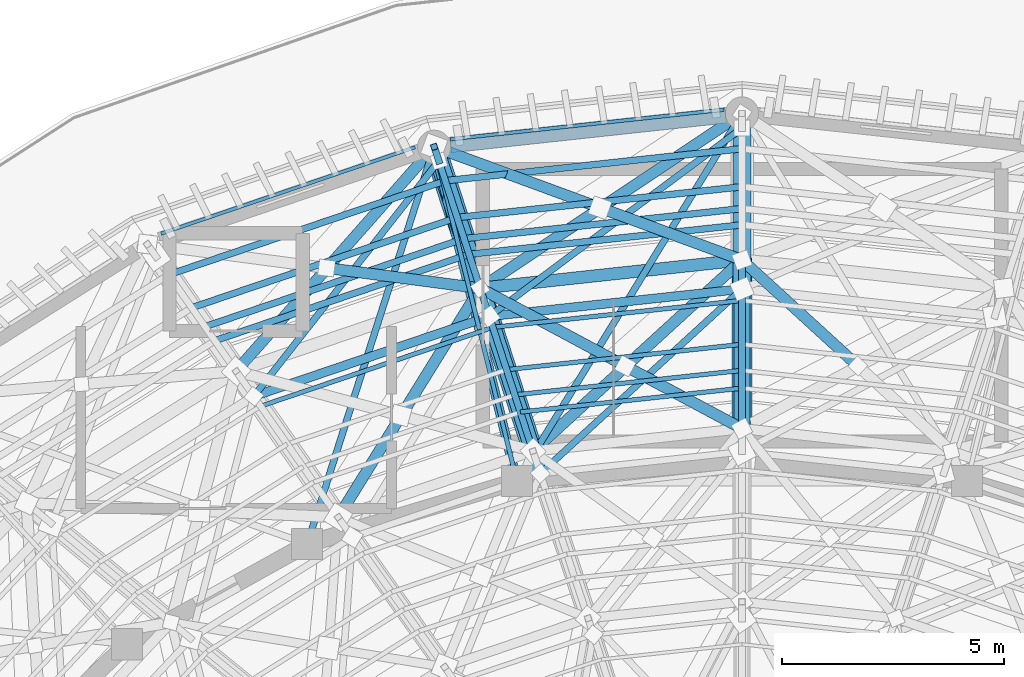
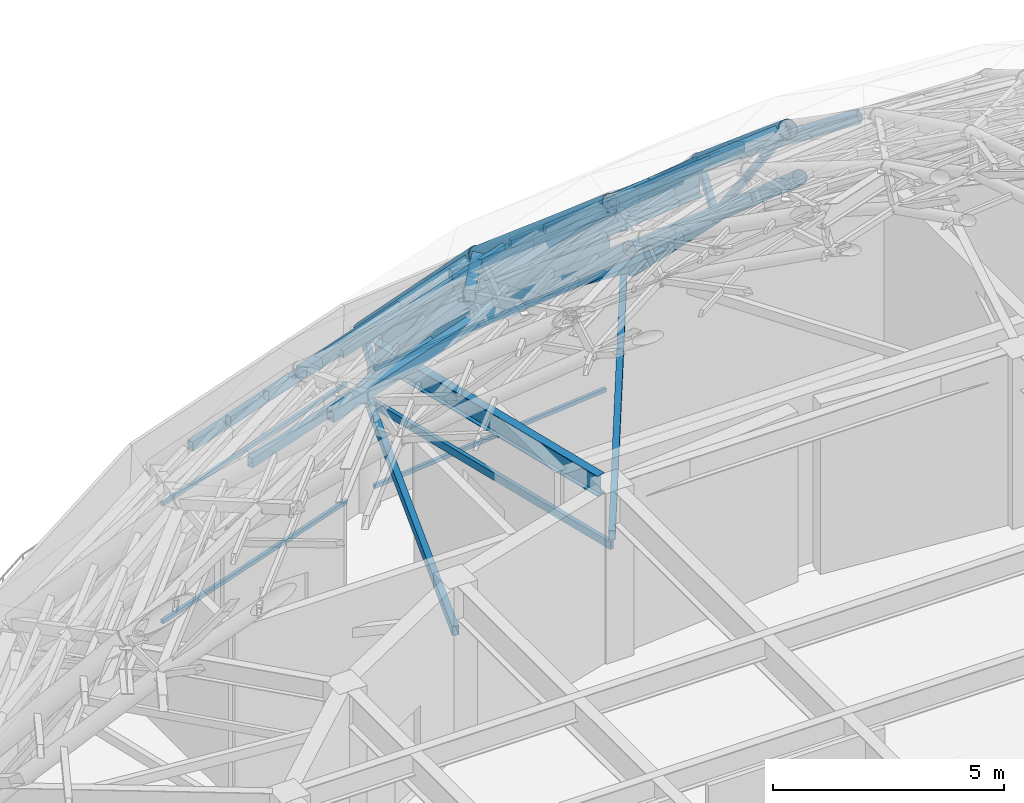
# One storey, part 30 of 50: 48 members, 3 beams.
"""IFC4 building model written with IfcOpenShell, lengths in metres."""

from ifc_helpers import new_model, si_unit, direction, frame, origin, origin_2d, place, context, subcontext, project, spatial, rectangle, hollow_rectangle, hollow_circle, i_section, extrude, material, material_profile, profile_set, type_object, element, save


model = new_model("IFC4")

# Units and contexts
model_context = context("Model", 3, precision=1e-05, world=origin(), true_north=direction((0.0, 1.0)))
body_context = subcontext(model_context, "Body", "Model", "MODEL_VIEW")
ifc_project = project(units=[si_unit("LENGTHUNIT", "METRE"), si_unit("AREAUNIT", "SQUARE_METRE"), si_unit("VOLUMEUNIT", "CUBIC_METRE"), si_unit("PLANEANGLEUNIT", "RADIAN"), si_unit("MASSUNIT", "GRAM", prefix="KILO")], contexts=[model_context])

# Site, building, storey
site_placement = place(None, origin())
site = spatial("IfcSite", under=ifc_project, at=site_placement, CompositionType="ELEMENT")
building_placement = place(site_placement, origin())
building = spatial("IfcBuilding", under=site, at=building_placement, Name="Cinderbank Siding Concert Hall", CompositionType="ELEMENT")
storey_placement = place(building_placement, frame((0.0, 0.0, 23.699951171875)))
storey = spatial("IfcBuildingStorey", under=building, at=storey_placement, Name="L06", CompositionType="ELEMENT", Elevation=23.699951171875)

# Beams
ifc_material_1 = material(Name="Structural steel AS/NZS 3679.1 Grade 350 (340 MPa)", Category="steel")
ifc_material_profile_1 = material_profile(ifc_material_1, i_section(OverallWidth=0.208984375, OverallDepth=0.532958984375, WebThickness=0.01025390625, FlangeThickness=0.015625, at=origin_2d()), Name="530UB92.4", Category="LoadBearing")
ifc_profile_set_1 = profile_set([ifc_material_profile_1], Name="Structural steel AS/NZS 3679.1 Grade 350 (340 MPa)")
beam_type_1 = type_object("IfcBeamType", Name="BM-UB530H 530UB92.4", PredefinedType="BEAM", material=ifc_profile_set_1)
beam_1_placement = place(storey_placement, frame((116.844970703125, 58.048095703125, 4.235595703125), z_axis=(-0.240115631411, 0.970744293598, 0.0), x_axis=(-0.970744293598, -0.240115631411, 0.0)))
element("IfcBeam", 1, at=beam_1_placement, inside=storey, type_object=beam_type_1, Name="L06 Beam BM-UB530H #842", PredefinedType="BEAM", context=body_context, shape_type="SweptSolid", body=[
    extrude(i_section(OverallWidth=0.208984375, OverallDepth=0.532958984375, WebThickness=0.01025390625, FlangeThickness=0.015625, at=origin_2d()), origin(), (0.0, 0.0, 1.0), 7.05224609375),
])
ifc_material_2 = material(Name="Structural steel welded plate section AS/NZS 3679.2 / AS/NZS 3678 Grade 350 (340 MPa)", Category="steel")
ifc_material_profile_2 = material_profile(ifc_material_2, i_section(OverallWidth=0.35009765625, OverallDepth=1.0, WebThickness=0.013916015625, FlangeThickness=0.02490234375, at=origin_2d()), Name="1000WB258", Category="LoadBearing")
ifc_profile_set_2 = profile_set([ifc_material_profile_2], Name="Structural steel welded plate section AS/NZS 3679.2 / AS/NZS 3678 Grade 350 (340 MPa)")
beam_type_2 = type_object("IfcBeamType", Name="BM-WB1000 1000WB258", PredefinedType="BEAM", material=ifc_profile_set_2)
beam_2_placement = place(storey_placement, frame((121.635009765625, 65.960693359375, 4.0), z_axis=(-0.994208402861, -0.107469305761, 0.0), x_axis=(0.107469305761, -0.994208402861, 0.0)))
element("IfcBeam", 2, at=beam_2_placement, inside=storey, type_object=beam_type_2, Name="L06 Beam BM-WB1000 #823", PredefinedType="BEAM", context=body_context, shape_type="SweptSolid", body=[
    extrude(i_section(OverallWidth=0.35009765625, OverallDepth=1.0, WebThickness=0.013916015625, FlangeThickness=0.02490234375, at=origin_2d()), origin(), (0.0, 0.0, 1.0), 6.24267578125),
])
ifc_material_profile_3 = material_profile(ifc_material_2, i_section(OverallWidth=0.27490234375, OverallDepth=0.800048828125, WebThickness=0.010009765625, FlangeThickness=0.01611328125, at=origin_2d()), Name="800WB146", Category="LoadBearing")
ifc_profile_set_3 = profile_set([ifc_material_profile_3], Name="Structural steel welded plate section AS/NZS 3679.2 / AS/NZS 3678 Grade 350 (340 MPa)")
beam_type_3 = type_object("IfcBeamType", Name="BM-WB800 800WB146", PredefinedType="BEAM", material=ifc_profile_set_3)
beam_3_placement = place(storey_placement, frame((122.0, 62.699951171875, 7.699951171875), z_axis=(-0.99422058231, -0.107356572745, 0.0), x_axis=(0.107356572745, -0.99422058231, 0.0)))
element("IfcBeam", 3, at=beam_3_placement, inside=storey, type_object=beam_type_3, Name="L06 Beam BM-WB800 #2039", PredefinedType="BEAM", context=body_context, shape_type="SweptSolid", body=[
    extrude(i_section(OverallWidth=0.27490234375, OverallDepth=0.800048828125, WebThickness=0.010009765625, FlangeThickness=0.01611328125, at=origin_2d()), origin(), (0.0, 0.0, 1.0), 5.935546875),
])

# Members
ifc_material_3 = material(Name="Structural steel hollow section AS/NZS 1163 Grade C350L0 (350 MPa)", Category="steel")
ifc_material_profile_4 = material_profile(ifc_material_3, hollow_rectangle(XDim=0.14990234375, YDim=0.14990234375, WallThickness=0.008056640625, at=origin_2d()), Name="150x150x8.0SHS", Category="LoadBearing")
ifc_profile_set_4 = profile_set([ifc_material_profile_4], Name="Structural steel hollow section AS/NZS 1163 Grade C350L0 (350 MPa)")
member_type_1 = type_object("IfcMemberType", Name="BR-SHS150 150x150x8.0SHS Roof Truss", PredefinedType="BRACE", material=ifc_profile_set_4)
member_1_placement = place(storey_placement, frame((122.0, 65.669921875, 3.550048828125), z_axis=(-0.715407116246, -0.532575741329, 0.452278385259), x_axis=(0.597140467526, -0.802136685386, 0.0)))
element("IfcMember", 4, at=member_1_placement, inside=storey, type_object=member_type_1, Name="L06 Diagonal Brace BR-SHS150 #DBRI-BR-SHS150-L06-0611", PredefinedType="BRACE", context=body_context, shape_type="SweptSolid", body=[
    extrude(hollow_rectangle(XDim=0.14990234375, YDim=0.14990234375, WallThickness=0.008056640625, at=origin_2d()), origin(), (0.0, 0.0, 1.0), 7.9599609375),
])
member_2_placement = place(storey_placement, frame((115.167724609375, 64.931640625, 3.550048828125), z_axis=(0.170572320139, -0.525536270045, 0.83349667814), x_axis=(0.951154746371, 0.30871450963, 0.0)))
element("IfcMember", 5, at=member_2_placement, inside=storey, type_object=member_type_1, Name="L06 Diagonal Brace BR-SHS150 #DWBD-BR-SHS150-L06-0614", PredefinedType="BRACE", context=body_context, shape_type="SweptSolid", body=[
    extrude(hollow_rectangle(XDim=0.14990234375, YDim=0.14990234375, WallThickness=0.008056640625, at=origin_2d()), origin(), (0.0, 0.0, 1.0), 5.458984375),
])
member_3_placement = place(storey_placement, frame((115.167724609375, 64.931640625, 3.550048828125), z_axis=(-0.103238246716, 0.316500352609, 0.94295778867), x_axis=(-0.950701849516, -0.310106422583, 0.0)))
element("IfcMember", 6, at=member_3_placement, inside=storey, type_object=member_type_1, Name="L06 Diagonal Brace BR-SHS150 #DWBV-BR-SHS150-L06-0617", PredefinedType="BRACE", context=body_context, shape_type="SweptSolid", body=[
    extrude(hollow_rectangle(XDim=0.14990234375, YDim=0.14990234375, WallThickness=0.008056640625, at=origin_2d()), origin(), (0.0, 0.0, 1.0), 1.00732421875),
])
member_4_placement = place(storey_placement, frame((115.167724609375, 64.931640625, 3.550048828125), z_axis=(-0.545181601427, -0.69361786878, 0.470819788852), x_axis=(0.78621032505, -0.617958999274, 0.0)))
element("IfcMember", 7, at=member_4_placement, inside=storey, type_object=member_type_1, Name="L06 Diagonal Brace BR-SHS150 #DBRI-BR-SHS150-L06-0623", PredefinedType="BRACE", context=body_context, shape_type="SweptSolid", body=[
    extrude(hollow_rectangle(XDim=0.14990234375, YDim=0.14990234375, WallThickness=0.008056640625, at=origin_2d()), origin(), (0.0, 0.0, 1.0), 7.646484375),
])
member_5_placement = place(storey_placement, frame((122.0, 62.04541015625, 7.150146484375), z_axis=(0.0, -0.604058062613, 0.796940309554), x_axis=(1.0, 0.0, 0.0)))
element("IfcMember", 8, at=member_5_placement, inside=storey, type_object=member_type_1, Name="L06 Diagonal Brace BR-SHS150 #DWBD-BR-SHS150-L06-0890", PredefinedType="BRACE", context=body_context, shape_type="SweptSolid", body=[
    extrude(hollow_rectangle(XDim=0.14990234375, YDim=0.14990234375, WallThickness=0.008056640625, at=origin_2d()), origin(), (0.0, 0.0, 1.0), 5.207275390625),
])
member_6_placement = place(storey_placement, frame((122.0, 62.04541015625, 7.150146484375), z_axis=(0.0, 0.567381778042, 0.823454866976), x_axis=(-1.0, 0.0, 0.0)))
element("IfcMember", 9, at=member_6_placement, inside=storey, type_object=member_type_1, Name="L06 Diagonal Brace BR-SHS150 #DWBV-BR-SHS150-L06-0893", PredefinedType="BRACE", context=body_context, shape_type="SweptSolid", body=[
    extrude(hollow_rectangle(XDim=0.14990234375, YDim=0.14990234375, WallThickness=0.008056640625, at=origin_2d()), origin(), (0.0, 0.0, 1.0), 1.153564453125),
])
member_7_placement = place(storey_placement, frame((122.0, 62.04541015625, 7.150146484375), z_axis=(-0.654874224149, -0.598844650108, 0.461004160048), x_axis=(0.674832113204, -0.737971286019, 0.0)))
element("IfcMember", 10, at=member_7_placement, inside=storey, type_object=member_type_1, Name="L06 Diagonal Brace BR-SHS150 #DBRI-BR-SHS150-L06-0899", PredefinedType="BRACE", context=body_context, shape_type="SweptSolid", body=[
    extrude(hollow_rectangle(XDim=0.14990234375, YDim=0.14990234375, WallThickness=0.008056640625, at=origin_2d()), origin(), (0.0, 0.0, 1.0), 6.941162109375),
])
member_8_placement = place(storey_placement, frame((116.305419921875, 61.4306640625, 7.150146484375), z_axis=(0.187934294222, -0.580213915056, 0.792485024357), x_axis=(0.951339765212, 0.30814388056, 0.0)))
element("IfcMember", 11, at=member_8_placement, inside=storey, type_object=member_type_1, Name="L06 Diagonal Brace BR-SHS150 #DWBD-BR-SHS150-L06-0902", PredefinedType="BRACE", context=body_context, shape_type="SweptSolid", body=[
    extrude(hollow_rectangle(XDim=0.14990234375, YDim=0.14990234375, WallThickness=0.008056640625, at=origin_2d()), origin(), (0.0, 0.0, 1.0), 5.236572265625),
])
member_9_placement = place(storey_placement, frame((116.305419921875, 61.4306640625, 7.150146484375), z_axis=(-0.178120981918, 0.545100735444, 0.819230189885), x_axis=(-0.950539108206, -0.310604899785, 0.0)))
element("IfcMember", 12, at=member_9_placement, inside=storey, type_object=member_type_1, Name="L06 Diagonal Brace BR-SHS150 #DWBV-BR-SHS150-L06-0905", PredefinedType="BRACE", context=body_context, shape_type="SweptSolid", body=[
    extrude(hollow_rectangle(XDim=0.14990234375, YDim=0.14990234375, WallThickness=0.008056640625, at=origin_2d()), origin(), (0.0, 0.0, 1.0), 1.15966796875),
])
ifc_material_profile_5 = material_profile(ifc_material_3, hollow_rectangle(XDim=0.25, YDim=0.25, WallThickness=0.010009765625, at=origin_2d()), Name="250x250x10.0SHS", Category="LoadBearing")
ifc_profile_set_5 = profile_set([ifc_material_profile_5], Name="Structural steel hollow section AS/NZS 1163 Grade C350L0 (350 MPa)")
member_type_2 = type_object("IfcMemberType", Name="BR-SHS250 250x250x10.0SHS Roof Truss", PredefinedType="BRACE", material=ifc_profile_set_5)
member_10_placement = place(storey_placement, frame((122.0, 66.0, 4.5), z_axis=(-0.741790133726, -0.494925716214, 0.452543846425), x_axis=(0.555009892338, -0.83184374699, 0.0)))
element("IfcMember", 13, at=member_10_placement, inside=storey, type_object=member_type_2, Name="L06 Diagonal Brace BR-SHS250 #DBRO-BR-SHS250-L06-0609", PredefinedType="BRACE", context=body_context, shape_type="SweptSolid", body=[
    extrude(hollow_rectangle(XDim=0.25, YDim=0.25, WallThickness=0.010009765625, at=origin_2d()), origin(), (0.0, 0.0, 1.0), 7.955322265625),
])
member_11_placement = place(storey_placement, frame((115.063720703125, 65.25048828125, 4.5), z_axis=(0.843774113681, -0.310251626974, 0.437937407676), x_axis=(0.345105384659, 0.938563942137, 0.0)))
element("IfcMember", 14, at=member_11_placement, inside=storey, type_object=member_type_2, Name="L06 Diagonal Brace BR-SHS250 #DBRO-BR-SHS250-L06-0610", PredefinedType="BRACE", context=body_context, shape_type="SweptSolid", body=[
    extrude(hollow_rectangle(XDim=0.25, YDim=0.25, WallThickness=0.010009765625, at=origin_2d()), origin(), (0.0, 0.0, 1.0), 4.42626953125),
])
member_12_placement = place(storey_placement, frame((118.823974609375, 63.86767578125, 6.45166015625), z_axis=(0.843778989622, -0.310230986806, 0.437942634939), x_axis=(0.345083403206, 0.938572024318, 0.0)))
element("IfcMember", 15, at=member_12_placement, inside=storey, type_object=member_type_2, Name="L06 Diagonal Brace BR-SHS250 #DBRO-BR-SHS250-L06-0610-S63", PredefinedType="BRACE", context=body_context, shape_type="SweptSolid", body=[
    extrude(hollow_rectangle(XDim=0.25, YDim=0.25, WallThickness=0.010009765625, at=origin_2d()), origin(), (0.0, 0.0, 1.0), 3.76416015625),
])
member_13_placement = place(storey_placement, frame((115.063720703125, 65.25048828125, 4.5), z_axis=(-0.583857667067, -0.661330658387, 0.470905494643), x_axis=(0.749651899244, -0.661832327678, 0.0)))
element("IfcMember", 16, at=member_13_placement, inside=storey, type_object=member_type_2, Name="L06 Diagonal Brace BR-SHS250 #DBRO-BR-SHS250-L06-0621", PredefinedType="BRACE", context=body_context, shape_type="SweptSolid", body=[
    extrude(hollow_rectangle(XDim=0.25, YDim=0.25, WallThickness=0.010009765625, at=origin_2d()), origin(), (0.0, 0.0, 1.0), 7.64501953125),
])
member_14_placement = place(storey_placement, frame((112.6650390625, 62.51611328125, 6.45166015625), z_axis=(0.895184303146, -0.118191059434, 0.429739382499), x_axis=(0.130893926452, 0.991396378861, 0.0)))
element("IfcMember", 17, at=member_14_placement, inside=storey, type_object=member_type_2, Name="L06 Diagonal Brace BR-SHS250 #DBRO-BR-SHS250-L06-0622-S64", PredefinedType="BRACE", context=body_context, shape_type="SweptSolid", body=[
    extrude(hollow_rectangle(XDim=0.25, YDim=0.25, WallThickness=0.010009765625, at=origin_2d()), origin(), (0.0, 0.0, 1.0), 3.8359375),
])
member_15_placement = place(storey_placement, frame((122.0, 62.699951171875, 8.10009765625), z_axis=(0.659696938246, -0.603292541468, 0.448149594531), x_axis=(0.674855139441, 0.737950229196, 0.0)))
element("IfcMember", 18, at=member_15_placement, inside=storey, type_object=member_type_2, Name="L06 Diagonal Brace BR-SHS250 #DBRO-BR-SHS250-L06-0886", PredefinedType="BRACE", context=body_context, shape_type="SweptSolid", body=[
    extrude(hollow_rectangle(XDim=0.25, YDim=0.25, WallThickness=0.010009765625, at=origin_2d()), origin(), (0.0, 0.0, 1.0), 3.9560546875),
])
member_16_placement = place(storey_placement, frame((122.0, 62.699951171875, 8.10009765625), z_axis=(-0.659700996758, -0.603284149829, 0.448154916788), x_axis=(0.674847766541, -0.737956971642, 0.0)))
element("IfcMember", 19, at=member_16_placement, inside=storey, type_object=member_type_2, Name="L06 Diagonal Brace BR-SHS250 #DBRO-BR-SHS250-L06-0897", PredefinedType="BRACE", context=body_context, shape_type="SweptSolid", body=[
    extrude(hollow_rectangle(XDim=0.25, YDim=0.25, WallThickness=0.010009765625, at=origin_2d()), origin(), (0.0, 0.0, 1.0), 7.140380859375),
])
member_17_placement = place(storey_placement, frame((116.098876953125, 62.062744140625, 8.10009765625), z_axis=(0.795240941635, -0.426183112165, 0.431230564378), x_axis=(0.472360213486, 0.881405598301, 0.0)))
element("IfcMember", 20, at=member_17_placement, inside=storey, type_object=member_type_2, Name="L06 Diagonal Brace BR-SHS250 #DBRO-BR-SHS250-L06-0898", PredefinedType="BRACE", context=body_context, shape_type="SweptSolid", body=[
    extrude(hollow_rectangle(XDim=0.25, YDim=0.25, WallThickness=0.010009765625, at=origin_2d()), origin(), (0.0, 0.0, 1.0), 4.111328125),
])
member_18_placement = place(storey_placement, frame((119.39208984375, 60.297607421875, 9.885986328125), z_axis=(0.795244346692, -0.426209875006, 0.431197833368), x_axis=(0.472381685865, 0.881394090552, 0.0)))
element("IfcMember", 21, at=member_18_placement, inside=storey, type_object=member_type_2, Name="L06 Diagonal Brace BR-SHS250 #DBRO-BR-SHS250-L06-0898-S87", PredefinedType="BRACE", context=body_context, shape_type="SweptSolid", body=[
    extrude(hollow_rectangle(XDim=0.25, YDim=0.25, WallThickness=0.010009765625, at=origin_2d()), origin(), (0.0, 0.0, 1.0), 3.279296875),
])
member_19_placement = place(storey_placement, frame((116.098876953125, 62.062744140625, 8.10009765625), z_axis=(-0.466183459403, -0.751806661119, 0.466325772906), x_axis=(0.84987062871, -0.526991379868, 0.0)))
element("IfcMember", 22, at=member_19_placement, inside=storey, type_object=member_type_2, Name="L06 Diagonal Brace BR-SHS250 #DBRO-BR-SHS250-L06-0909", PredefinedType="BRACE", context=body_context, shape_type="SweptSolid", body=[
    extrude(hollow_rectangle(XDim=0.25, YDim=0.25, WallThickness=0.010009765625, at=origin_2d()), origin(), (0.0, 0.0, 1.0), 6.862060546875),
])
ifc_material_profile_6 = material_profile(ifc_material_3, hollow_circle(Radius=0.177734375, WallThickness=0.0126953125, at=origin_2d()), Name="355.6x12.7CHS", Category="LoadBearing")
ifc_profile_set_6 = profile_set([ifc_material_profile_6], Name="Structural steel hollow section AS/NZS 1163 Grade C350L0 (350 MPa)")
member_type_3 = type_object("IfcMemberType", Name="DR-CHS355 355.6x12.7CHS Roof Truss", PredefinedType="RAFTER", material=ifc_profile_set_6)
member_20_placement = place(storey_placement, frame((122.0, 62.04541015625, 7.150146484375), z_axis=(0.0, -0.753458544555, 0.657495415678), x_axis=(1.0, 0.0, 0.0)))
element("IfcMember", 23, at=member_20_placement, inside=storey, type_object=member_type_3, Name="L06 Roof Truss Member DR-CHS355 #889", PredefinedType="RAFTER", context=body_context, shape_type="SweptSolid", body=[
    extrude(hollow_circle(Radius=0.177734375, WallThickness=0.0126953125, at=origin_2d()), origin(), (0.0, 0.0, 1.0), 4.866943359375),
])
member_21_placement = place(storey_placement, frame((116.305419921875, 61.4306640625, 7.150146484375), z_axis=(0.234010079383, -0.72142333865, 0.651757354541), x_axis=(0.951209297801, 0.308546385129, 0.0)))
element("IfcMember", 24, at=member_21_placement, inside=storey, type_object=member_type_3, Name="L06 Roof Truss Member DR-CHS355 #901", PredefinedType="RAFTER", context=body_context, shape_type="SweptSolid", body=[
    extrude(hollow_circle(Radius=0.177734375, WallThickness=0.0126953125, at=origin_2d()), origin(), (0.0, 0.0, 1.0), 4.90966796875),
])
ifc_material_profile_7 = material_profile(ifc_material_3, hollow_circle(Radius=0.203125, WallThickness=0.01611328125, at=origin_2d()), Name="406.4x16.0CHS", Category="LoadBearing")
ifc_profile_set_7 = profile_set([ifc_material_profile_7], Name="Structural steel hollow section AS/NZS 1163 Grade C350L0 (350 MPa)")
member_type_4 = type_object("IfcMemberType", Name="DR-CHS406 406.4x16.0CHS Roof Truss", PredefinedType="RAFTER", material=ifc_profile_set_7)
member_22_placement = place(storey_placement, frame((122.0, 65.669921875, 3.550048828125), z_axis=(0.0, -0.709492250212, 0.704713237345), x_axis=(1.0, 0.0, 0.0)))
element("IfcMember", 25, at=member_22_placement, inside=storey, type_object=member_type_4, Name="L06 Roof Truss Member DR-CHS406 #601", PredefinedType="RAFTER", context=body_context, shape_type="SweptSolid", body=[
    extrude(hollow_circle(Radius=0.203125, WallThickness=0.01611328125, at=origin_2d()), origin(), (0.0, 0.0, 1.0), 5.108642578125),
])
member_23_placement = place(storey_placement, frame((115.167724609375, 64.931640625, 3.550048828125), z_axis=(0.220955908226, -0.679937279819, 0.699187944785), x_axis=(0.95104381584, 0.309056079624, 0.0)))
element("IfcMember", 26, at=member_23_placement, inside=storey, type_object=member_type_4, Name="L06 Roof Truss Member DR-CHS406 #613", PredefinedType="RAFTER", context=body_context, shape_type="SweptSolid", body=[
    extrude(hollow_circle(Radius=0.203125, WallThickness=0.01611328125, at=origin_2d()), origin(), (0.0, 0.0, 1.0), 5.14892578125),
])
ifc_material_profile_8 = material_profile(ifc_material_3, hollow_circle(Radius=0.228515625, WallThickness=0.01611328125, at=origin_2d()), Name="457.0x16.0CHS", Category="LoadBearing")
ifc_profile_set_8 = profile_set([ifc_material_profile_8], Name="Structural steel hollow section AS/NZS 1163 Grade C350L0 (350 MPa)")
member_type_5 = type_object("IfcMemberType", Name="DR-CHS457 457.0x16.0CHS Roof Truss", PredefinedType="RAFTER", material=ifc_profile_set_8)
member_24_placement = place(storey_placement, frame((122.0, 62.699951171875, 8.10009765625), z_axis=(0.0, -0.764920118762, 0.644125152368), x_axis=(1.0, 0.0, 0.0)))
element("IfcMember", 27, at=member_24_placement, inside=storey, type_object=member_type_5, Name="L06 Roof Truss Member DR-CHS457 #888", PredefinedType="RAFTER", context=body_context, shape_type="SweptSolid", body=[
    extrude(hollow_circle(Radius=0.228515625, WallThickness=0.01611328125, at=origin_2d()), origin(), (0.0, 0.0, 1.0), 4.968017578125),
])
member_25_placement = place(storey_placement, frame((116.098876953125, 62.062744140625, 8.10009765625), z_axis=(0.237521316365, -0.73219099246, 0.638341581626), x_axis=(0.951202242561, 0.308568134693, 0.0)))
element("IfcMember", 28, at=member_25_placement, inside=storey, type_object=member_type_5, Name="L06 Roof Truss Member DR-CHS457 #900", PredefinedType="RAFTER", context=body_context, shape_type="SweptSolid", body=[
    extrude(hollow_circle(Radius=0.228515625, WallThickness=0.01611328125, at=origin_2d()), origin(), (0.0, 0.0, 1.0), 5.012939453125),
])
ifc_material_profile_9 = material_profile(ifc_material_3, hollow_circle(Radius=0.25390625, WallThickness=0.01611328125, at=origin_2d()), Name="508.0x16.0CHS", Category="LoadBearing")
ifc_profile_set_9 = profile_set([ifc_material_profile_9], Name="Structural steel hollow section AS/NZS 1163 Grade C350L0 (350 MPa)")
member_type_6 = type_object("IfcMemberType", Name="DR-CHS508 508.0x16.0CHS Roof Truss", PredefinedType="RAFTER", material=ifc_profile_set_9)
member_26_placement = place(storey_placement, frame((115.063720703125, 65.25048828125, 4.5), z_axis=(0.210451677028, -0.64808196862, 0.731915195625), x_axis=(0.951109518613, 0.308853822388, 0.0)))
element("IfcMember", 29, at=member_26_placement, inside=storey, type_object=member_type_6, Name="L06 Roof Truss Member DR-CHS508 #612", PredefinedType="RAFTER", context=body_context, shape_type="SweptSolid", body=[
    extrude(hollow_circle(Radius=0.25390625, WallThickness=0.01611328125, at=origin_2d()), origin(), (0.0, 0.0, 1.0), 4.918701171875),
])
ifc_material_4 = material(Name="Anodised aluminium alloy 6063-T6", Category="aluminium")
ifc_material_profile_10 = material_profile(ifc_material_4, rectangle(XDim=0.080078125, YDim=0.10009765625, at=origin_2d()), Name="ALU-RAIL-80x100", Category="LoadBearing")
ifc_profile_set_10 = profile_set([ifc_material_profile_10], Name="Anodised aluminium alloy 6063-T6")
member_type_7 = type_object("IfcMemberType", Name="LV-RL1 Carrier Rail 80x100", PredefinedType="STUD", material=ifc_profile_set_10)
for number, where, z_axis, x_axis, name in (
    (30, (121.591796875, 66.08642578125, 0.219970703125), (-0.994211711823, -0.107438689841, 0.0), (0.107438689841, -0.994211711823, 0.0), "L06 Louvre Carrier Rail 07 BOT"),
    (31, (121.591796875, 66.08642578125, 3.320068359375), (-0.994211711823, -0.107438689841, 0.0), (0.107438689841, -0.994211711823, 0.0), "L06 Louvre Carrier Rail 07 TOP"),
):
    element("IfcMember", number, at=place(storey_placement, frame(where, z_axis=z_axis, x_axis=x_axis)), inside=storey, type_object=member_type_7, Name=name, PredefinedType="STUD", context=body_context, shape_type="SweptSolid", body=[
        extrude(rectangle(XDim=0.080078125, YDim=0.10009765625, at=origin_2d()), origin(), (0.0, 0.0, 1.0), 6.19677734375),
    ])
for number, where, z_axis, x_axis, name in (
    (32, (114.6357421875, 65.240966796875, 0.219970703125), (-0.946760439523, -0.321938923017, 0.0), (0.321938923017, -0.946760439523, 0.0), "L06 Louvre Carrier Rail 08 BOT"),
    (33, (114.6357421875, 65.240966796875, 3.320068359375), (-0.946760439523, -0.321938923017, 0.0), (0.321938923017, -0.946760439523, 0.0), "L06 Louvre Carrier Rail 08 TOP"),
):
    element("IfcMember", number, at=place(storey_placement, frame(where, z_axis=z_axis, x_axis=x_axis)), inside=storey, type_object=member_type_7, Name=name, PredefinedType="STUD", context=body_context, shape_type="SweptSolid", body=[
        extrude(rectangle(XDim=0.080078125, YDim=0.10009765625, at=origin_2d()), origin(), (0.0, 0.0, 1.0), 6.047119140625),
    ])
ifc_material_profile_11 = material_profile(ifc_material_3, hollow_rectangle(XDim=0.10009765625, YDim=0.199951171875, WallThickness=0.008056640625, at=origin_2d()), Name="200x100x8.0RHS", Category="LoadBearing")
ifc_profile_set_11 = profile_set([ifc_material_profile_11], Name="Structural steel hollow section AS/NZS 1163 Grade C350L0 (350 MPa)")
member_type_8 = type_object("IfcMemberType", Name="PR-RHS200 200x100x8.0RHS Roof Truss", PredefinedType="PURLIN", material=ifc_profile_set_11)
member_27_placement = place(storey_placement, frame((122.0, 60.2119140625, 8.75), z_axis=(-0.994233579191, -0.107236141338, 0.0), x_axis=(0.107236141338, -0.994233579191, 0.0)))
element("IfcMember", 34, at=member_27_placement, inside=storey, type_object=member_type_8, Name="L06 Roof Truss Member PR-RHS200 #892", PredefinedType="PURLIN", context=body_context, shape_type="SweptSolid", body=[
    extrude(hollow_rectangle(XDim=0.10009765625, YDim=0.199951171875, WallThickness=0.008056640625, at=origin_2d()), origin(), (0.0, 0.0, 1.0), 5.14990234375),
])
member_28_placement = place(storey_placement, frame((122.0, 61.7880859375, 8.8681640625), z_axis=(-0.994223639187, -0.107328259471, 0.0), x_axis=(0.107328259471, -0.994223639187, 0.0)))
element("IfcMember", 35, at=member_28_placement, inside=storey, type_object=member_type_8, Name="L06 Roof Truss Member PR-RHS200 #894", PredefinedType="PURLIN", context=body_context, shape_type="SweptSolid", body=[
    extrude(hollow_rectangle(XDim=0.10009765625, YDim=0.199951171875, WallThickness=0.008056640625, at=origin_2d()), origin(), (0.0, 0.0, 1.0), 5.648193359375),
])
member_29_placement = place(storey_placement, frame((122.0, 60.800048828125, 9.699951171875), z_axis=(-0.994229091086, -0.107277744379, 0.0), x_axis=(0.107277744379, -0.994229091086, 0.0)))
element("IfcMember", 36, at=member_29_placement, inside=storey, type_object=member_type_8, Name="L06 Roof Truss Member PR-RHS200 #895", PredefinedType="PURLIN", context=body_context, shape_type="SweptSolid", body=[
    extrude(hollow_rectangle(XDim=0.10009765625, YDim=0.199951171875, WallThickness=0.008056640625, at=origin_2d()), origin(), (0.0, 0.0, 1.0), 5.336669921875),
])
member_30_placement = place(storey_placement, frame((122.0, 59.81201171875, 10.531982421875), z_axis=(-0.994234657027, -0.107226147775, 0.0), x_axis=(0.107226147775, -0.994234657027, 0.0)))
element("IfcMember", 37, at=member_30_placement, inside=storey, type_object=member_type_8, Name="L06 Roof Truss Member PR-RHS200 #896", PredefinedType="PURLIN", context=body_context, shape_type="SweptSolid", body=[
    extrude(hollow_rectangle(XDim=0.10009765625, YDim=0.199951171875, WallThickness=0.008056640625, at=origin_2d()), origin(), (0.0, 0.0, 1.0), 5.025146484375),
])
member_31_placement = place(storey_placement, frame((116.384521484375, 61.181884765625, 8.8681640625), z_axis=(-0.946878796549, -0.321590647634, 0.0), x_axis=(0.321590647634, -0.946878796549, 0.0)))
element("IfcMember", 38, at=member_31_placement, inside=storey, type_object=member_type_8, Name="L06 Roof Truss Member PR-RHS200 #906", PredefinedType="PURLIN", context=body_context, shape_type="SweptSolid", body=[
    extrude(hollow_rectangle(XDim=0.10009765625, YDim=0.199951171875, WallThickness=0.008056640625, at=origin_2d()), origin(), (0.0, 0.0, 1.0), 5.52587890625),
])
member_32_placement = place(storey_placement, frame((116.927001953125, 57.716064453125, 2.81005859375), z_axis=(-0.240070192761, 0.970755531814, 0.0), x_axis=(-0.970755531814, -0.240070192761, 0.0)))
element("IfcMember", 39, at=member_32_placement, inside=storey, type_object=member_type_8, Name="L06 Roof Truss Member PR-RHS200 #2341", PredefinedType="PURLIN", context=body_context, shape_type="SweptSolid", body=[
    extrude(hollow_rectangle(XDim=0.10009765625, YDim=0.199951171875, WallThickness=0.008056640625, at=origin_2d()), origin(), (0.0, 0.0, 1.0), 7.761474609375),
])
ifc_material_profile_12 = material_profile(ifc_material_3, hollow_rectangle(XDim=0.14990234375, YDim=0.25, WallThickness=0.009033203125, at=origin_2d()), Name="250x150x9.0RHS", Category="LoadBearing")
ifc_profile_set_12 = profile_set([ifc_material_profile_12], Name="Structural steel hollow section AS/NZS 1163 Grade C350L0 (350 MPa)")
member_type_9 = type_object("IfcMemberType", Name="PR-RHS250 250x150x9.0RHS Roof Truss", PredefinedType="PURLIN", material=ifc_profile_set_12)
member_33_placement = place(storey_placement, frame((122.0, 63.857666015625, 5.35009765625), z_axis=(-0.994217451748, -0.107385560662, 0.0), x_axis=(0.107385560662, -0.994217451748, 0.0)))
element("IfcMember", 40, at=member_33_placement, inside=storey, type_object=member_type_9, Name="L06 Roof Truss Member PR-RHS250 #604", PredefinedType="PURLIN", context=body_context, shape_type="SweptSolid", body=[
    extrude(hollow_rectangle(XDim=0.14990234375, YDim=0.25, WallThickness=0.009033203125, at=origin_2d()), origin(), (0.0, 0.0, 1.0), 6.2998046875),
])
member_34_placement = place(storey_placement, frame((122.0, 65.2080078125, 5.364013671875), z_axis=(-0.994212915868, -0.107427547309, 0.0), x_axis=(0.107427547309, -0.994212915868, 0.0)))
element("IfcMember", 41, at=member_34_placement, inside=storey, type_object=member_type_9, Name="L06 Roof Truss Member PR-RHS250 #606", PredefinedType="PURLIN", context=body_context, shape_type="SweptSolid", body=[
    extrude(hollow_rectangle(XDim=0.14990234375, YDim=0.25, WallThickness=0.009033203125, at=origin_2d()), origin(), (0.0, 0.0, 1.0), 6.726806640625),
])
member_35_placement = place(storey_placement, frame((122.0, 64.35009765625, 6.300048828125), z_axis=(-0.994212179536, -0.107434361647, 0.0), x_axis=(0.107434361647, -0.994212179536, 0.0)))
element("IfcMember", 42, at=member_35_placement, inside=storey, type_object=member_type_9, Name="L06 Roof Truss Member PR-RHS250 #607", PredefinedType="PURLIN", context=body_context, shape_type="SweptSolid", body=[
    extrude(hollow_rectangle(XDim=0.14990234375, YDim=0.25, WallThickness=0.009033203125, at=origin_2d()), origin(), (0.0, 0.0, 1.0), 6.4560546875),
])
member_36_placement = place(storey_placement, frame((122.0, 63.491943359375, 7.236083984375), z_axis=(-0.994220263343, -0.10735952663, 0.0), x_axis=(0.10735952663, -0.994220263343, 0.0)))
element("IfcMember", 43, at=member_36_placement, inside=storey, type_object=member_type_9, Name="L06 Roof Truss Member PR-RHS250 #608", PredefinedType="PURLIN", context=body_context, shape_type="SweptSolid", body=[
    extrude(hollow_rectangle(XDim=0.14990234375, YDim=0.25, WallThickness=0.009033203125, at=origin_2d()), origin(), (0.0, 0.0, 1.0), 6.185302734375),
])
member_37_placement = place(storey_placement, frame((115.736572265625, 63.18115234375, 5.35009765625), z_axis=(-0.946813534053, -0.321782739958, 0.0), x_axis=(0.321782739958, -0.946813534053, 0.0)))
element("IfcMember", 44, at=member_37_placement, inside=storey, type_object=member_type_9, Name="L06 Roof Truss Member PR-RHS250 #616", PredefinedType="PURLIN", context=body_context, shape_type="SweptSolid", body=[
    extrude(hollow_rectangle(XDim=0.14990234375, YDim=0.25, WallThickness=0.009033203125, at=origin_2d()), origin(), (0.0, 0.0, 1.0), 6.16455078125),
])
member_38_placement = place(storey_placement, frame((115.31201171875, 64.4853515625, 5.364013671875), z_axis=(-0.94678223989, -0.321874805209, 0.0), x_axis=(0.321874805209, -0.94678223989, 0.0)))
element("IfcMember", 45, at=member_38_placement, inside=storey, type_object=member_type_9, Name="L06 Roof Truss Member PR-RHS250 #618", PredefinedType="PURLIN", context=body_context, shape_type="SweptSolid", body=[
    extrude(hollow_rectangle(XDim=0.14990234375, YDim=0.25, WallThickness=0.009033203125, at=origin_2d()), origin(), (0.0, 0.0, 1.0), 6.582275390625),
])
member_39_placement = place(storey_placement, frame((115.581298828125, 63.656494140625, 6.300048828125), z_axis=(-0.946804070582, -0.321810583931, 0.0), x_axis=(0.321810583931, -0.946804070582, 0.0)))
element("IfcMember", 46, at=member_39_placement, inside=storey, type_object=member_type_9, Name="L06 Roof Truss Member PR-RHS250 #619", PredefinedType="PURLIN", context=body_context, shape_type="SweptSolid", body=[
    extrude(hollow_rectangle(XDim=0.14990234375, YDim=0.25, WallThickness=0.009033203125, at=origin_2d()), origin(), (0.0, 0.0, 1.0), 6.317138671875),
])
member_40_placement = place(storey_placement, frame((115.850341796875, 62.827880859375, 7.236083984375), z_axis=(-0.946823631867, -0.321753026619, 0.0), x_axis=(0.321753026619, -0.946823631867, 0.0)))
element("IfcMember", 47, at=member_40_placement, inside=storey, type_object=member_type_9, Name="L06 Roof Truss Member PR-RHS250 #620", PredefinedType="PURLIN", context=body_context, shape_type="SweptSolid", body=[
    extrude(hollow_rectangle(XDim=0.14990234375, YDim=0.25, WallThickness=0.009033203125, at=origin_2d()), origin(), (0.0, 0.0, 1.0), 6.052001953125),
])
ifc_material_profile_13 = material_profile(ifc_material_3, hollow_rectangle(XDim=0.199951171875, YDim=0.300048828125, WallThickness=0.010009765625, at=origin_2d()), Name="300x200x10.0RHS", Category="LoadBearing")
ifc_profile_set_13 = profile_set([ifc_material_profile_13], Name="Structural steel hollow section AS/NZS 1163 Grade C350L0 (350 MPa)")
member_type_10 = type_object("IfcMemberType", Name="PR-RHS300 300x200x10.0RHS Roof Truss", PredefinedType="PURLIN", material=ifc_profile_set_13)
member_41_placement = place(storey_placement, frame((122.0, 62.04541015625, 7.150146484375), z_axis=(-0.994223531809, -0.107329254152, 0.0), x_axis=(0.107329254152, -0.994223531809, 0.0)))
element("IfcMember", 48, at=member_41_placement, inside=storey, type_object=member_type_10, Name="L06 Roof Truss Member PR-RHS300 #603", PredefinedType="PURLIN", context=body_context, shape_type="SweptSolid", body=[
    extrude(hollow_rectangle(XDim=0.199951171875, YDim=0.300048828125, WallThickness=0.010009765625, at=origin_2d()), origin(), (0.0, 0.0, 1.0), 5.727783203125),
])
member_42_placement = place(storey_placement, frame((116.305419921875, 61.4306640625, 7.150146484375), z_axis=(-0.946851049731, -0.321672332699, 0.0), x_axis=(0.321672332699, -0.946851049731, 0.0)))
element("IfcMember", 49, at=member_42_placement, inside=storey, type_object=member_type_10, Name="L06 Roof Truss Member PR-RHS300 #615", PredefinedType="PURLIN", context=body_context, shape_type="SweptSolid", body=[
    extrude(hollow_rectangle(XDim=0.199951171875, YDim=0.300048828125, WallThickness=0.010009765625, at=origin_2d()), origin(), (0.0, 0.0, 1.0), 5.604248046875),
])
ifc_material_profile_14 = material_profile(ifc_material_3, hollow_rectangle(XDim=0.14990234375, YDim=0.25, WallThickness=0.009033203125, at=origin_2d()), Name="250x150x9.0RHS", Category="LoadBearing")
ifc_profile_set_14 = profile_set([ifc_material_profile_14], Name="Structural steel hollow section AS/NZS 1163 Grade C350L0 (350 MPa)")
member_type_11 = type_object("IfcMemberType", Name="TR-RHS250 250x150x9.0RHS Roof Truss", PredefinedType="RAFTER", material=ifc_profile_set_14)
member_43_placement = place(storey_placement, frame((116.927001953125, 57.716064453125, 3.070068359375), z_axis=(0.522243768439, 0.852796251356, 0.0), x_axis=(-0.852796251356, 0.522243768439, 0.0)))
element("IfcMember", 50, at=member_43_placement, inside=storey, type_object=member_type_11, Name="L06 Roof Truss Member TR-RHS250 #2339", PredefinedType="RAFTER", context=body_context, shape_type="SweptSolid", body=[
    extrude(hollow_rectangle(XDim=0.14990234375, YDim=0.25, WallThickness=0.009033203125, at=origin_2d()), origin(), (0.0, 0.0, 1.0), 9.7138671875),
])
member_44_placement = place(storey_placement, frame((112.199951171875, 56.297607421875, 3.070068359375), z_axis=(0.304664519425, 0.952459726499, 0.0), x_axis=(-0.952459726499, 0.304664519425, 0.0)))
element("IfcMember", 51, at=member_44_placement, inside=storey, type_object=member_type_11, Name="L06 Roof Truss Member TR-RHS250 #2340", PredefinedType="RAFTER", context=body_context, shape_type="SweptSolid", body=[
    extrude(hollow_rectangle(XDim=0.14990234375, YDim=0.25, WallThickness=0.009033203125, at=origin_2d()), origin(), (0.0, 0.0, 1.0), 9.399658203125),
])

save(model, "model.ifc")
